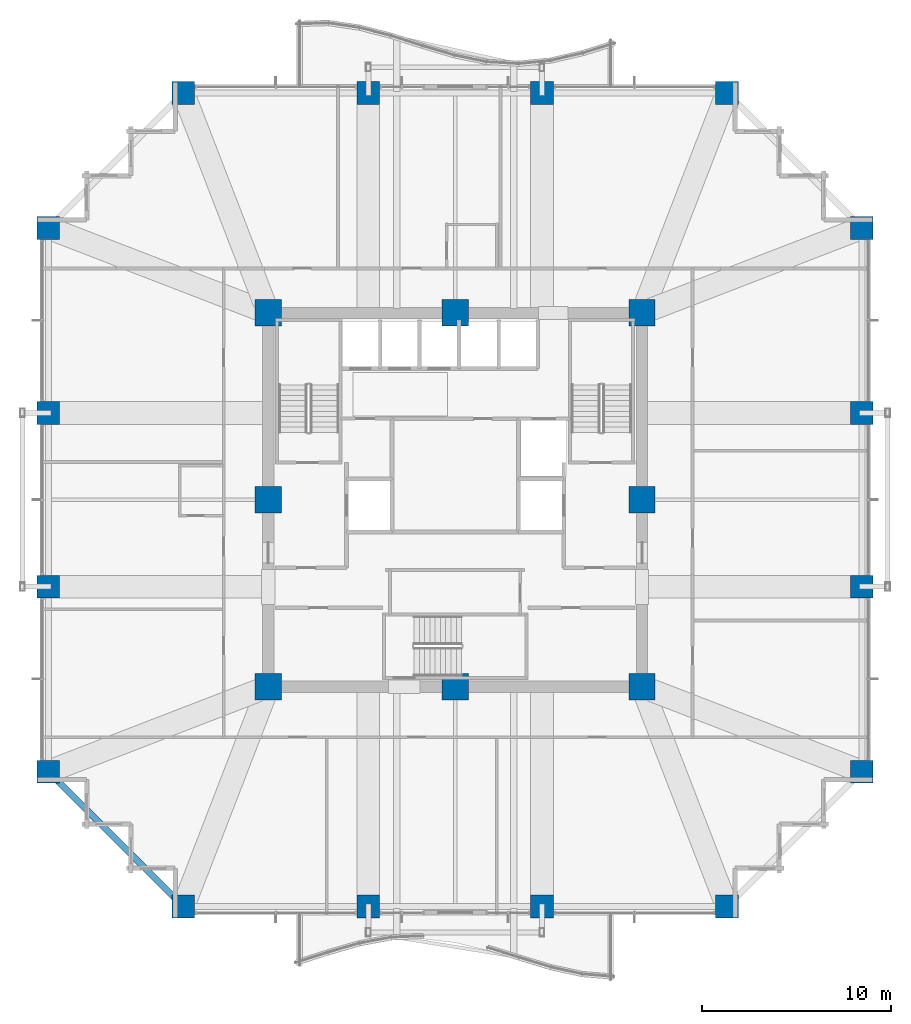
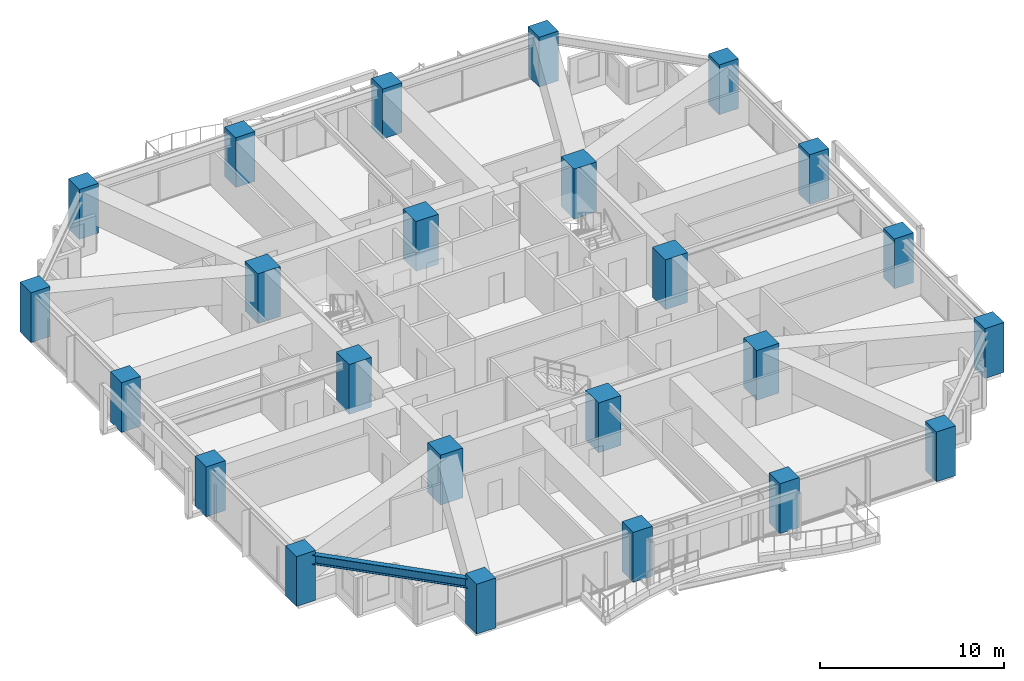
# One storey, part 1 of 37: 24 columns, 1 beam.
"""IFC4 building model written with IfcOpenShell, lengths in metres."""

import ifcopenshell
import ifcopenshell.guid

model = None  # the IFC model being written
_history = None  # IfcOwnerHistory: only IFC2X3 demands one
_inside = {}  # id of a spatial element -> (the spatial element, [elements in it])
_under = {}  # id of a project, library or spatial element -> (it, [spatial elements below it])
_declared = {}  # id of a project -> (the project, [libraries it declares])
_typed = {}  # id of a type object -> (the type object, [elements of that type])
_made_of = {}  # id of a material, layer set ... -> (it, [elements and type objects made of it])


def new_model(schema):
    """Start an empty IFC model of exactly this schema.

    Asked for "IFC4X3", IfcOpenShell would pick the latest addendum, in which some entities
    have other attributes; the version numbers below select the first issue.
    IFC2X3 requires an IfcOwnerHistory on every rooted entity: one is made here for all.
    """
    global model, _history
    if schema == "IFC4X3":
        model = ifcopenshell.file(schema_version=(4, 3, 0, 0))
    else:
        model = ifcopenshell.file(schema=schema)
    _inside.clear()
    _under.clear()
    _declared.clear()
    _typed.clear()
    _made_of.clear()
    _history = None
    if model.schema == "IFC2X3":
        org = make("IfcOrganization", Name="unknown")
        user = make(
            "IfcPersonAndOrganization",
            ThePerson=make("IfcPerson", FamilyName="unknown"),
            TheOrganization=org,
        )
        app = make(
            "IfcApplication",
            ApplicationDeveloper=org,
            Version="unknown",
            ApplicationFullName="unknown",
            ApplicationIdentifier="unknown",
        )
        _history = make(
            "IfcOwnerHistory",
            OwningUser=user,
            OwningApplication=app,
            ChangeAction="ADDED",
            CreationDate=0,
        )
    return model


def make(cls, **values):
    """One entity of the class cls with the attributes given. An attribute that is None is left unset."""
    return model.create_entity(
        cls, **{name: value for name, value in values.items() if value is not None}
    )


def rooted(cls, **values):
    """An entity with a GlobalId (a new one), such as an element, a storey or a relation."""
    return make(cls, GlobalId=ifcopenshell.guid.new(), OwnerHistory=_history, **values)


def si_unit(unit_type, name, prefix=None):
    """IfcSIUnit, for example si_unit("LENGTHUNIT", "METRE", prefix="MILLI")."""
    return make("IfcSIUnit", UnitType=unit_type, Prefix=prefix, Name=name)


def assignment(units):
    """IfcUnitAssignment: the units of a project."""
    return None if units is None else make("IfcUnitAssignment", Units=units)


def point(xyz):
    """IfcCartesianPoint."""
    return None if xyz is None else make("IfcCartesianPoint", Coordinates=xyz)


def direction(xyz):
    """IfcDirection."""
    return None if xyz is None else make("IfcDirection", DirectionRatios=xyz)


def frame(location, z_axis=None, x_axis=None):
    """IfcAxis2Placement3D, a coordinate frame: its origin and axes. An axis left out is left unset."""
    return make(
        "IfcAxis2Placement3D",
        Location=point(location),
        Axis=direction(z_axis),
        RefDirection=direction(x_axis),
    )


def frame_2d(location, x_axis=None):
    """IfcAxis2Placement2D, a coordinate frame in the plane: its origin and x axis."""
    return make(
        "IfcAxis2Placement2D", Location=point(location), RefDirection=direction(x_axis)
    )


def origin():
    """The frame at (0, 0, 0) with its axes left unset."""
    return frame((0.0, 0.0, 0.0))


def origin_2d():
    """The frame at (0, 0) in the plane with its x axis left unset."""
    return frame_2d((0.0, 0.0))


def place(relative_to, where):
    """IfcLocalPlacement: puts the frame where relative to a parent placement (None: the world)."""
    return make(
        "IfcLocalPlacement", PlacementRelTo=relative_to, RelativePlacement=where
    )


def context(
    kind, dimensions, precision=None, world=None, true_north=None, identifier=None
):
    """IfcGeometricRepresentationContext, for example the 3D "Model" context."""
    return make(
        "IfcGeometricRepresentationContext",
        ContextIdentifier=identifier,
        ContextType=kind,
        CoordinateSpaceDimension=dimensions,
        Precision=precision,
        WorldCoordinateSystem=world,
        TrueNorth=true_north,
    )


def subcontext(parent, identifier, kind, view, scale=None):
    """IfcGeometricRepresentationSubContext, for example "Body" below "Model"."""
    return make(
        "IfcGeometricRepresentationSubContext",
        ContextIdentifier=identifier,
        ContextType=kind,
        ParentContext=parent,
        TargetScale=scale,
        TargetView=view,
    )


def project(units=None, contexts=None):
    """IfcProject with its units and contexts."""
    return rooted(
        "IfcProject",
        Name="project",
        RepresentationContexts=contexts,
        UnitsInContext=assignment(units),
    )


def spatial(cls, under=None, at=None, **own):
    """A site, building, storey or space (cls), placed at a placement, below another one or the project."""
    s = rooted(cls, ObjectPlacement=at, **own)
    if under is not None:
        _under.setdefault(under.id(), (under, []))[1].append(s)
    return s


def profile(cls, at=None, kind="AREA", **sizes):
    """A parametric profile (cls). Its sizes go by their IFC names, for example OverallWidth=200.0."""
    return make(cls, ProfileType=kind, Position=at, **sizes)


def rectangle(**sizes):
    """IfcRectangleProfileDef."""
    return profile("IfcRectangleProfileDef", **sizes)


def i_section(**sizes):
    """IfcIShapeProfileDef."""
    return profile("IfcIShapeProfileDef", **sizes)


def extrude(swept, where, along, depth):
    """IfcExtrudedAreaSolid: the profile swept, set in the frame where, extruded along a direction by depth."""
    return make(
        "IfcExtrudedAreaSolid",
        SweptArea=swept,
        Position=where,
        ExtrudedDirection=direction(along),
        Depth=depth,
    )


def shape(context_of_items, identifier, shape_type, items):
    """IfcShapeRepresentation: the items that make up one representation, for example the "Body"."""
    return make(
        "IfcShapeRepresentation",
        ContextOfItems=context_of_items,
        RepresentationIdentifier=identifier,
        RepresentationType=shape_type,
        Items=items,
    )


def material(Name=None, Category=None):
    """IfcMaterial."""
    return make("IfcMaterial", Name=Name, Category=Category)


def material_profile(
    of_material, cross_section, Name=None, Category=None, Priority=None
):
    """IfcMaterialProfile: a cross section and its material."""
    return make(
        "IfcMaterialProfile",
        Name=Name,
        Material=of_material,
        Profile=cross_section,
        Priority=Priority,
        Category=Category,
    )


def profile_set(profiles, Name=None, composite=None):
    """IfcMaterialProfileSet."""
    return make(
        "IfcMaterialProfileSet",
        Name=Name,
        MaterialProfiles=profiles,
        CompositeProfile=composite,
    )


def made_of(thing, what):
    """Note that an element or type object is made of a material, layer set ...; save() writes the relation."""
    if what is not None:
        _made_of.setdefault(what.id(), (what, []))[1].append(thing)
    return thing


def type_object(cls, material=None, **own):
    """A type object (cls), such as IfcWallType, which elements share."""
    return made_of(rooted(cls, **own), material)


def element(
    cls,
    number,
    at=None,
    inside=None,
    cuts=None,
    type_object=None,
    material=None,
    context=None,
    identifier="Body",
    shape_type=None,
    held_by="IfcProductDefinitionShape",
    body=None,
    shapes=None,
    **own,
):
    """One element of the class cls, such as IfcWall. Its Tag is "e" and its number.

    at: its placement. inside: the storey or other place that contains it. cuts: it is an
    opening in that element (IfcRelVoidsElement). A single representation is given by context,
    identifier, shape_type and body (its items); several are given by shapes. held_by: the class
    of the entity that holds the representations. save() writes the other relations.
    """
    e = rooted(cls, Tag="e%d" % number, ObjectPlacement=at, **own)
    if body is not None:
        shapes = [shape(context, identifier, shape_type, body)]
    if shapes is not None:
        e.Representation = make(held_by, Representations=shapes)
    if inside is not None:
        _inside.setdefault(inside.id(), (inside, []))[1].append(e)
    if cuts is not None:
        rooted(
            "IfcRelVoidsElement", RelatingBuildingElement=cuts, RelatedOpeningElement=e
        )
    if type_object is not None:
        _typed.setdefault(type_object.id(), (type_object, []))[1].append(e)
    return made_of(e, material)


def aggregate(whole, parts):
    """IfcRelAggregates: a whole, such as a stair, and the parts it consists of."""
    return rooted("IfcRelAggregates", RelatingObject=whole, RelatedObjects=parts)


def save(model, path):
    """Write the relations noted so far, then the file.

    IfcRelAggregates (storeys below a building ...), IfcRelContainedInSpatialStructure (elements
    in a storey), IfcRelDefinesByType, IfcRelAssociatesMaterial and IfcRelDeclares: one each for
    every whole, place, type object, material and project.
    """
    for whole, parts in _under.values():
        aggregate(whole, parts)
    for where, things in _inside.values():
        rooted(
            "IfcRelContainedInSpatialStructure",
            RelatedElements=things,
            RelatingStructure=where,
        )
    for kind, things in _typed.values():
        rooted("IfcRelDefinesByType", RelatedObjects=things, RelatingType=kind)
    for what, things in _made_of.values():
        rooted("IfcRelAssociatesMaterial", RelatedObjects=things, RelatingMaterial=what)
    for by, libraries in _declared.values():
        rooted("IfcRelDeclares", RelatingContext=by, RelatedDefinitions=libraries)
    model.write(path)


model = new_model("IFC4")

# Units and contexts
model_context = context("Model", 3, precision=1e-05, world=origin(), true_north=direction((0.0, 1.0)))
body_context = subcontext(model_context, "Body", "Model", "MODEL_VIEW")
ifc_project = project(units=[si_unit("LENGTHUNIT", "METRE"), si_unit("AREAUNIT", "SQUARE_METRE"), si_unit("VOLUMEUNIT", "CUBIC_METRE"), si_unit("PLANEANGLEUNIT", "RADIAN"), si_unit("MASSUNIT", "GRAM", prefix="KILO")], contexts=[model_context])

# Site, building, storey
site_placement = place(None, origin())
site = spatial("IfcSite", under=ifc_project, at=site_placement, CompositionType="ELEMENT")
building_placement = place(site_placement, origin())
building = spatial("IfcBuilding", under=site, at=building_placement, Name="Kolvaren Belvedere", CompositionType="ELEMENT")
storey_placement = place(building_placement, frame((0.0, 0.0, 56.800048828125)))
storey = spatial("IfcBuildingStorey", under=building, at=storey_placement, Name="L16", CompositionType="ELEMENT", Elevation=56.800048828125)

# Columns
ifc_material_1 = material(Name="Concrete C60/75", Category="concrete")
ifc_material_profile_1 = material_profile(ifc_material_1, rectangle(XDim=1.199951171875, YDim=1.199951171875, at=origin_2d()), Name="RC 1200X1200")
ifc_profile_set_1 = profile_set([ifc_material_profile_1], Name="Concrete C60/75")
column_type_1 = type_object("IfcColumnType", Name="COL-RC-1200", PredefinedType="COLUMN", material=ifc_profile_set_1)
for number, where, z_axis, x_axis, name in (
    (1, (-14.39990234375, -21.550048828125, 0.0), (0.0, 0.0, 1.0), (1.0, 0.0, 0.0), "L16 Perimeter Column S1"),
    (2, (-4.60009765625, -21.550048828125, 0.0), (0.0, 0.0, 1.0), (1.0, 0.0, 0.0), "L16 Perimeter Column S2"),
    (3, (4.60009765625, -21.550048828125, 0.0), (0.0, 0.0, 1.0), (1.0, 0.0, 0.0), "L16 Perimeter Column S3"),
    (4, (14.39990234375, -21.550048828125, 0.0), (0.0, 0.0, 1.0), (1.0, 0.0, 0.0), "L16 Perimeter Column S4"),
    (5, (-14.39990234375, 21.550048828125, 0.0), (0.0, 0.0, 1.0), (1.0, 0.0, 0.0), "L16 Perimeter Column N1"),
    (6, (-4.60009765625, 21.550048828125, 0.0), (0.0, 0.0, 1.0), (1.0, 0.0, 0.0), "L16 Perimeter Column N2"),
    (7, (4.60009765625, 21.550048828125, 0.0), (0.0, 0.0, 1.0), (1.0, 0.0, 0.0), "L16 Perimeter Column N3"),
    (8, (14.39990234375, 21.550048828125, 0.0), (0.0, 0.0, 1.0), (1.0, 0.0, 0.0), "L16 Perimeter Column N4"),
    (9, (-21.550048828125, -14.39990234375, 0.0), (0.0, 0.0, 1.0), (1.0, 0.0, 0.0), "L16 Perimeter Column W1"),
    (10, (-21.550048828125, -4.60009765625, 0.0), (0.0, 0.0, 1.0), (1.0, 0.0, 0.0), "L16 Perimeter Column W2"),
    (11, (-21.550048828125, 4.60009765625, 0.0), (0.0, 0.0, 1.0), (1.0, 0.0, 0.0), "L16 Perimeter Column W3"),
    (12, (-21.550048828125, 14.39990234375, 0.0), (0.0, 0.0, 1.0), (1.0, 0.0, 0.0), "L16 Perimeter Column W4"),
    (13, (21.550048828125, -14.39990234375, 0.0), (0.0, 0.0, 1.0), (1.0, 0.0, 0.0), "L16 Perimeter Column E1"),
    (14, (21.550048828125, -4.60009765625, 0.0), (0.0, 0.0, 1.0), (1.0, 0.0, 0.0), "L16 Perimeter Column E2"),
    (15, (21.550048828125, 4.60009765625, 0.0), (0.0, 0.0, 1.0), (1.0, 0.0, 0.0), "L16 Perimeter Column E3"),
    (16, (21.550048828125, 14.39990234375, 0.0), (0.0, 0.0, 1.0), (1.0, 0.0, 0.0), "L16 Perimeter Column E4"),
):
    element("IfcColumn", number, at=place(storey_placement, frame(where, z_axis=z_axis, x_axis=x_axis)), inside=storey, type_object=column_type_1, Name=name, PredefinedType="COLUMN", context=body_context, shape_type="SweptSolid", body=[
        extrude(rectangle(XDim=1.199951171875, YDim=1.199951171875, at=origin_2d()), origin(), (0.0, 0.0, 1.0), 3.300048828125),
    ])
ifc_material_2 = material(Name="Concrete C60/75", Category="concrete")
ifc_material_profile_2 = material_profile(ifc_material_2, rectangle(XDim=1.39990234375, YDim=1.39990234375, at=origin_2d()), Name="RC 1400X1400")
ifc_profile_set_2 = profile_set([ifc_material_profile_2], Name="Concrete C60/75")
column_type_2 = type_object("IfcColumnType", Name="COL-RC-1400", PredefinedType="COLUMN", material=ifc_profile_set_2)
for number, where, z_axis, x_axis, name in (
    (17, (-9.89990234375, -9.89990234375, 0.0), (0.0, 0.0, 1.0), (1.0, 0.0, 0.0), "L16 Core Column CC1"),
    (18, (9.89990234375, -9.89990234375, 0.0), (0.0, 0.0, 1.0), (1.0, 0.0, 0.0), "L16 Core Column CC2"),
    (19, (9.89990234375, 9.89990234375, 0.0), (0.0, 0.0, 1.0), (1.0, 0.0, 0.0), "L16 Core Column CC3"),
    (20, (-9.89990234375, 9.89990234375, 0.0), (0.0, 0.0, 1.0), (1.0, 0.0, 0.0), "L16 Core Column CC4"),
    (21, (0.0, -9.89990234375, 0.0), (0.0, 0.0, 1.0), (1.0, 0.0, 0.0), "L16 Core Column CM1"),
    (22, (9.89990234375, 0.0, 0.0), (0.0, 0.0, 1.0), (1.0, 0.0, 0.0), "L16 Core Column CM2"),
    (23, (0.0, 9.89990234375, 0.0), (0.0, 0.0, 1.0), (1.0, 0.0, 0.0), "L16 Core Column CM3"),
    (24, (-9.89990234375, 0.0, 0.0), (0.0, 0.0, 1.0), (1.0, 0.0, 0.0), "L16 Core Column CM4"),
):
    element("IfcColumn", number, at=place(storey_placement, frame(where, z_axis=z_axis, x_axis=x_axis)), inside=storey, type_object=column_type_2, Name=name, PredefinedType="COLUMN", context=body_context, shape_type="SweptSolid", body=[
        extrude(rectangle(XDim=1.39990234375, YDim=1.39990234375, at=origin_2d()), origin(), (0.0, 0.0, 1.0), 3.300048828125),
    ])

# Beam
ifc_material_3 = material(Name="Structural steel ASTM A992 Grade 50", Category="steel")
ifc_material_profile_3 = material_profile(ifc_material_3, i_section(OverallWidth=0.324951171875, OverallDepth=0.615966796875, WebThickness=0.013916015625, FlangeThickness=0.021484375, FilletRadius=0.02001953125, at=origin_2d()), Name="W24X117")
ifc_profile_set_3 = profile_set([ifc_material_profile_3], Name="Structural steel ASTM A992 Grade 50")
beam_type = type_object("IfcBeamType", Name="BM-SPAN-W24X117", PredefinedType="SPANDREL", material=ifc_profile_set_3)
beam_placement = place(storey_placement, frame((-21.359130859375, -14.5908203125, 2.751953125), z_axis=(0.707106781187, -0.707106781187, 0.0), x_axis=(0.707106781187, 0.707106781187, 0.0)))
element("IfcBeam", 25, at=beam_placement, inside=storey, type_object=beam_type, Name="L16 Perimeter Spandrel W1-S1", PredefinedType="SPANDREL", context=body_context, shape_type="SweptSolid", body=[
    extrude(i_section(OverallWidth=0.324951171875, OverallDepth=0.615966796875, WebThickness=0.013916015625, FlangeThickness=0.021484375, FilletRadius=0.02001953125, at=origin_2d()), origin(), (0.0, 0.0, 1.0), 9.57177734375),
])

save(model, "model.ifc")
